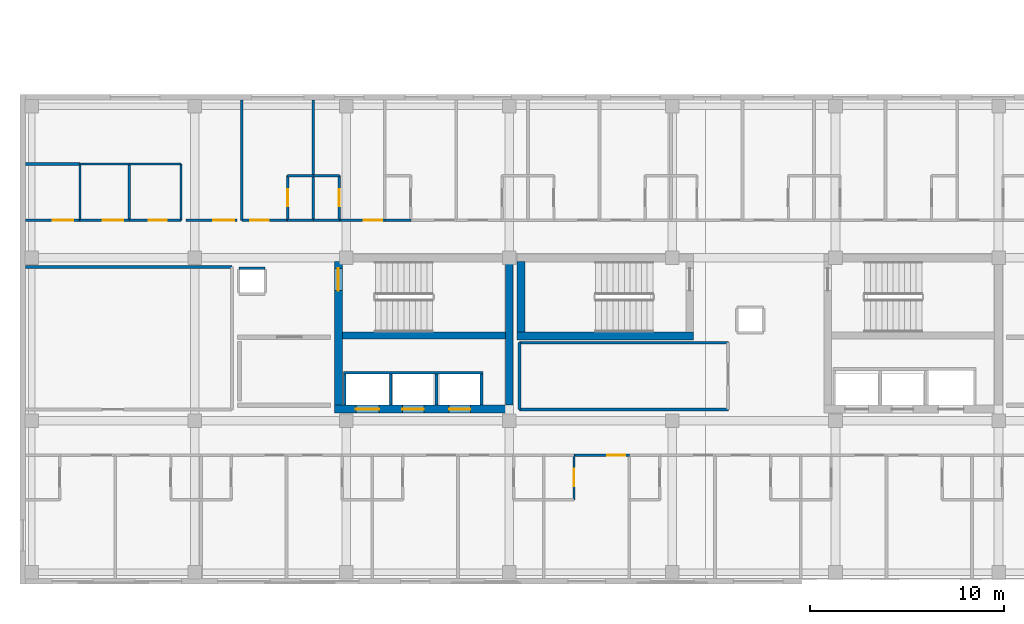
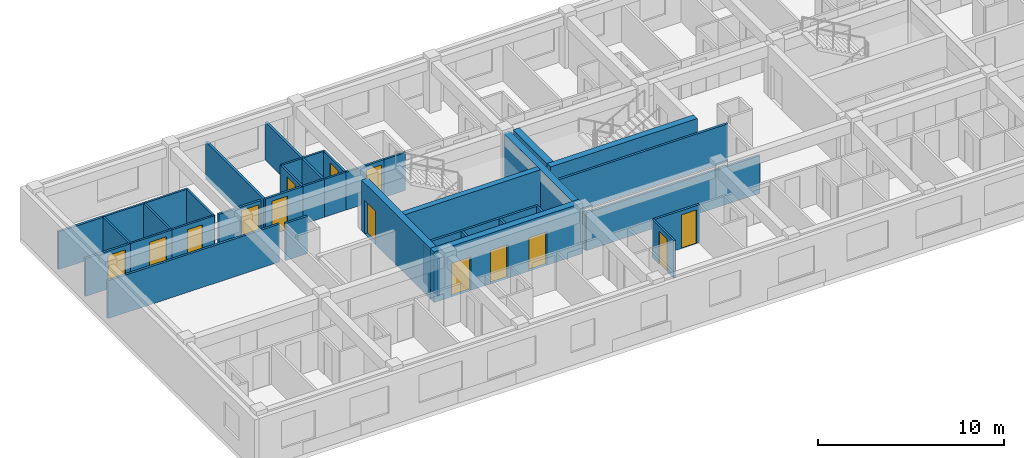
# One storey, part 4 of 13: 39 walls, 14 doors, 14 openings.
"""IFC4 building model written with IfcOpenShell, lengths in metres."""

from ifc_helpers import new_model, si_unit, direction, frame, frame_2d, origin, place, context, subcontext, project, spatial, rectangle, extrude, material, layer, layer_set, type_object, element, fill, save


model = new_model("IFC4")

# Units and contexts
model_context = context("Model", 3, precision=1e-05, world=origin(), true_north=direction((0.0, 1.0)))
body_context = subcontext(model_context, "Body", "Model", "MODEL_VIEW")
ifc_project = project(units=[si_unit("LENGTHUNIT", "METRE"), si_unit("AREAUNIT", "SQUARE_METRE"), si_unit("VOLUMEUNIT", "CUBIC_METRE"), si_unit("PLANEANGLEUNIT", "RADIAN"), si_unit("MASSUNIT", "GRAM", prefix="KILO")], contexts=[model_context])

# Site, building, storey
site_placement = place(None, origin())
site = spatial("IfcSite", under=ifc_project, at=site_placement, CompositionType="ELEMENT")
building_placement = place(site_placement, origin())
building = spatial("IfcBuilding", under=site, at=building_placement, Name="Zayran Congress Hotel", CompositionType="ELEMENT")
storey_placement = place(building_placement, frame((0.0, 0.0, 22.800048828125)))
storey = spatial("IfcBuildingStorey", under=building, at=storey_placement, Name="L05", CompositionType="ELEMENT", Elevation=22.800048828125)

# Wall, openings, doors
ifc_material_1 = material(Name="Concrete C40/50", Category="concrete")
ifc_layer_1 = layer(ifc_material_1, 0.39990234375)
ifc_layer_set_1 = layer_set([ifc_layer_1], Name="Concrete C40/50")
wall_type_1 = type_object("IfcWallType", Name="WL-SH-400", PredefinedType="SHEAR", material=ifc_layer_set_1)
wall_1_placement = place(storey_placement, frame((24.60009765625, 17.800048828125, 0.0), z_axis=(0.0, 0.0, 1.0), x_axis=(1.0, 0.0, 0.0)))
wall_1 = element("IfcWall", 1, at=wall_1_placement, inside=storey, type_object=wall_type_1, Name="CWALL-C-V5W-L05-S", PredefinedType="SHEAR", context=body_context, shape_type="SweptSolid", body=[
    extrude(rectangle(XDim=9.199951171875, YDim=0.39990234375, at=frame_2d((4.60009765625, 0.0))), origin(), (0.0, 0.0, 1.0), 3.320068359375),
])
opening_1_placement = place(wall_1_placement, frame((1.10009765625, 0.0, 0.0)))
opening_1 = element("IfcOpeningElement", 2, at=opening_1_placement, cuts=wall_1, Name="Opening LD-FL01", PredefinedType="OPENING", context=body_context, shape_type="SweptSolid", body=[
    extrude(rectangle(XDim=1.199951171875, YDim=2.199951171875, at=frame_2d((0.60009765625, 1.10009765625))), frame((0.0, 0.2099609375, 0.0), z_axis=(0.0, -1.0, 0.0), x_axis=(1.0, 0.0, 0.0)), (0.0, 0.0, 1.0), 0.419921875),
])
opening_2_placement = place(wall_1_placement, frame((3.5, 0.0, 0.0)))
opening_2 = element("IfcOpeningElement", 3, at=opening_2_placement, cuts=wall_1, Name="Opening LD-PL01", PredefinedType="OPENING", context=body_context, shape_type="SweptSolid", body=[
    extrude(rectangle(XDim=1.10009765625, YDim=2.199951171875, at=frame_2d((0.550048828125, 1.10009765625))), frame((0.0, 0.2099609375, 0.0), z_axis=(0.0, -1.0, 0.0), x_axis=(1.0, 0.0, 0.0)), (0.0, 0.0, 1.0), 0.419921875),
])
opening_3_placement = place(wall_1_placement, frame((5.89990234375, 0.0, 0.0)))
opening_3 = element("IfcOpeningElement", 4, at=opening_3_placement, cuts=wall_1, Name="Opening LD-PL02", PredefinedType="OPENING", context=body_context, shape_type="SweptSolid", body=[
    extrude(rectangle(XDim=1.10009765625, YDim=2.199951171875, at=frame_2d((0.550048828125, 1.10009765625))), frame((0.0, 0.2099609375, 0.0), z_axis=(0.0, -1.0, 0.0), x_axis=(1.0, 0.0, 0.0)), (0.0, 0.0, 1.0), 0.419921875),
])
ifc_material_2 = material(Name="Brushed stainless steel sliding lift landing door", Category="steel")
door_type_1 = type_object("IfcDoorType", Name="TP-DR-LD-01", OperationType="DOUBLE_DOOR_SLIDING", PredefinedType="DOOR", material=ifc_material_2)
door_1_placement = place(opening_2_placement, origin())
door_1 = element("IfcDoor", 5, at=door_1_placement, inside=storey, type_object=door_type_1, Name="Lift PL-01 Sliding Landing Door L05", OperationType="DOUBLE_DOOR_SLIDING", OverallHeight=2.199951171875, OverallWidth=1.10009765625, PredefinedType="DOOR", context=body_context, shape_type="SweptSolid", body=[
    extrude(rectangle(XDim=1.10009765625, YDim=2.199951171875, at=frame_2d((0.550048828125, 1.10009765625))), frame((0.0, 0.02490234375, 0.0), z_axis=(0.0, -1.0, 0.0), x_axis=(1.0, 0.0, 0.0)), (0.0, 0.0, 1.0), 0.050048828125),
])
fill(opening_2, door_1)
door_2_placement = place(opening_3_placement, origin())
door_2 = element("IfcDoor", 6, at=door_2_placement, inside=storey, type_object=door_type_1, Name="Lift PL-02 Sliding Landing Door L05", OperationType="DOUBLE_DOOR_SLIDING", OverallHeight=2.199951171875, OverallWidth=1.10009765625, PredefinedType="DOOR", context=body_context, shape_type="SweptSolid", body=[
    extrude(rectangle(XDim=1.10009765625, YDim=2.199951171875, at=frame_2d((0.550048828125, 1.10009765625))), frame((0.0, 0.02490234375, 0.0), z_axis=(0.0, -1.0, 0.0), x_axis=(1.0, 0.0, 0.0)), (0.0, 0.0, 1.0), 0.050048828125),
])
fill(opening_3, door_2)
ifc_material_3 = material(Name="Brushed stainless steel firefighting lift landing door", Category="steel")
door_type_2 = type_object("IfcDoorType", Name="TP-DR-LD-02", OperationType="DOUBLE_DOOR_SLIDING", PredefinedType="DOOR", material=ifc_material_3)
door_3_placement = place(opening_1_placement, origin())
door_3 = element("IfcDoor", 7, at=door_3_placement, inside=storey, type_object=door_type_2, Name="Lift FL-01 Sliding Landing Door L05", OperationType="DOUBLE_DOOR_SLIDING", OverallHeight=2.199951171875, OverallWidth=1.199951171875, PredefinedType="DOOR", context=body_context, shape_type="SweptSolid", body=[
    extrude(rectangle(XDim=1.199951171875, YDim=2.199951171875, at=frame_2d((0.60009765625, 1.10009765625))), frame((0.0, 0.02490234375, 0.0), z_axis=(0.0, -1.0, 0.0), x_axis=(1.0, 0.0, 0.0)), (0.0, 0.0, 1.0), 0.050048828125),
])
fill(opening_1, door_3)

# Wall, opening, door
wall_2_placement = place(storey_placement, frame((24.800048828125, 25.39990234375, 0.0), z_axis=(0.0, 0.0, 1.0), x_axis=(0.0, -1.0, 0.0)))
wall_2 = element("IfcWall", 8, at=wall_2_placement, inside=storey, type_object=wall_type_1, Name="CWALL-C-V5W-L05-W", PredefinedType="SHEAR", context=body_context, shape_type="SweptSolid", body=[
    extrude(rectangle(XDim=7.39990234375, YDim=0.39990234375, at=frame_2d((3.699951171875, 0.0))), origin(), (0.0, 0.0, 1.0), 3.320068359375),
])
opening_4_placement = place(wall_2_placement, frame((0.35009765625, 0.0, 0.0)))
opening_4 = element("IfcOpeningElement", 9, at=opening_4_placement, cuts=wall_2, Name="Opening DR-FD-90", PredefinedType="OPENING", context=body_context, shape_type="SweptSolid", body=[
    extrude(rectangle(XDim=1.14990234375, YDim=2.199951171875, at=frame_2d((0.574951171875, 1.10009765625))), frame((0.0, 0.2099609375, 0.0), z_axis=(0.0, -1.0, 0.0), x_axis=(1.0, 0.0, 0.0)), (0.0, 0.0, 1.0), 0.419921875),
])
ifc_material_4 = material(Name="Painted steel fire door assembly", Category="steel")
door_type_3 = type_object("IfcDoorType", Name="TP-DR-FD-90", OperationType="NOTDEFINED", PredefinedType="DOOR", material=ifc_material_4)
door_4_placement = place(opening_4_placement, origin())
door_4 = element("IfcDoor", 10, at=door_4_placement, inside=storey, type_object=door_type_3, Name="ST-01 Exit Stair Door L05", OperationType="SINGLE_SWING_LEFT", OverallHeight=2.199951171875, OverallWidth=1.14990234375, PredefinedType="DOOR", context=body_context, shape_type="SweptSolid", body=[
    extrude(rectangle(XDim=1.14990234375, YDim=2.199951171875, at=frame_2d((0.574951171875, 1.10009765625))), frame((0.0, 0.02490234375, 0.0), z_axis=(0.0, -1.0, 0.0), x_axis=(1.0, 0.0, 0.0)), (0.0, 0.0, 1.0), 0.050048828125),
])
fill(opening_4, door_4)

# Walls
wall_3_placement = place(storey_placement, frame((33.60009765625, 18.0, 0.0), z_axis=(0.0, 0.0, 1.0), x_axis=(0.0, 1.0, 0.0)))
element("IfcWall", 11, at=wall_3_placement, inside=storey, type_object=wall_type_1, Name="CWALL-C-V5W-L05-E", PredefinedType="SHEAR", context=body_context, shape_type="SweptSolid", body=[
    extrude(rectangle(XDim=7.39990234375, YDim=0.39990234375, at=frame_2d((3.699951171875, 0.0))), origin(), (0.0, 0.0, 1.0), 3.320068359375),
])
wall_4_placement = place(storey_placement, frame((34.0, 21.56005859375, 0.0), z_axis=(0.0, 0.0, 1.0), x_axis=(1.0, 0.0, 0.0)))
element("IfcWall", 12, at=wall_4_placement, inside=storey, type_object=wall_type_1, Name="CWALL-C-V5M-L05-S", PredefinedType="SHEAR", context=body_context, shape_type="SweptSolid", body=[
    extrude(rectangle(XDim=9.10009765625, YDim=0.39990234375, at=frame_2d((4.550048828125, 0.0))), origin(), (0.0, 0.0, 1.0), 3.320068359375),
])
wall_5_placement = place(storey_placement, frame((34.199951171875, 25.39990234375, 0.0), z_axis=(0.0, 0.0, 1.0), x_axis=(0.0, -1.0, 0.0)))
element("IfcWall", 13, at=wall_5_placement, inside=storey, type_object=wall_type_1, Name="CWALL-C-V5M-L05-W", PredefinedType="SHEAR", context=body_context, shape_type="SweptSolid", body=[
    extrude(rectangle(XDim=3.639892578125, YDim=0.39990234375, at=frame_2d((1.81982421875, 0.0))), origin(), (0.0, 0.0, 1.0), 3.320068359375),
])
ifc_layer_2 = layer(ifc_material_1, 0.35009765625)
ifc_layer_set_2 = layer_set([ifc_layer_2], Name="Concrete C40/50")
wall_type_2 = type_object("IfcWallType", Name="WL-SH-350", PredefinedType="SHEAR", material=ifc_layer_set_2)
wall_6_placement = place(storey_placement, frame((25.0, 21.5849609375, 0.0), z_axis=(0.0, 0.0, 1.0), x_axis=(1.0, 0.0, 0.0)))
element("IfcWall", 14, at=wall_6_placement, inside=storey, type_object=wall_type_2, Name="CWALL-C-V5W-L05-SPN", PredefinedType="SHEAR", context=body_context, shape_type="SweptSolid", body=[
    extrude(rectangle(XDim=8.39990234375, YDim=0.35009765625, at=frame_2d((4.199951171875, 0.0))), origin(), (0.0, 0.0, 1.0), 3.320068359375),
])
ifc_material_5 = material(Name="Hospitality guestroom acoustic partition", Category="gypsum")
ifc_layer_3 = layer(ifc_material_5, 0.139892578125)
ifc_layer_set_3 = layer_set([ifc_layer_3], Name="Hospitality guestroom acoustic partition")
wall_type_3 = type_object("IfcWallType", Name="WL-PT-140", PredefinedType="PARTITIONING", material=ifc_layer_set_3)
for number, where, z_axis, x_axis, name in (
    (15, (25.1298828125, 18.0, 0.0), (0.0, 0.0, 1.0), (0.0, 1.0, 0.0), "LSHW-C-V5W-L05-W"),
    (16, (27.5, 18.0, 0.0), (0.0, 0.0, 1.0), (0.0, 1.0, 0.0), "LSHW-C-V5W-L05-DIV1"),
    (17, (29.85009765625, 18.0, 0.0), (0.0, 0.0, 1.0), (0.0, 1.0, 0.0), "LSHW-C-V5W-L05-DIV2"),
    (18, (32.169921875, 18.0, 0.0), (0.0, 0.0, 1.0), (0.0, 1.0, 0.0), "LSHW-C-V5W-L05-E"),
):
    element("IfcWall", number, at=place(storey_placement, frame(where, z_axis=z_axis, x_axis=x_axis)), inside=storey, type_object=wall_type_3, Name=name, PredefinedType="PARTITIONING", context=body_context, shape_type="SweptSolid", body=[
        extrude(rectangle(XDim=1.60009765625, YDim=0.139892578125, at=frame_2d((0.800048828125, 0.0))), origin(), (0.0, 0.0, 1.0), 2.469970703125),
    ])
wall_7_placement = place(storey_placement, frame((25.06005859375, 19.669921875, 0.0), z_axis=(0.0, 0.0, 1.0), x_axis=(1.0, 0.0, 0.0)))
element("IfcWall", 19, at=wall_7_placement, inside=storey, type_object=wall_type_3, Name="LSHW-C-V5W-L05-N", PredefinedType="PARTITIONING", context=body_context, shape_type="SweptSolid", body=[
    extrude(rectangle(XDim=7.179931640625, YDim=0.139892578125, at=frame_2d((3.58984375, 0.0))), origin(), (0.0, 0.0, 1.0), 2.469970703125),
])

# Wall, opening, door
wall_8_placement = place(storey_placement, frame((36.93310546875, 15.419921875, 0.0), z_axis=(0.0, 0.0, 1.0), x_axis=(1.0, 0.0, 0.0)))
wall_8 = element("IfcWall", 20, at=wall_8_placement, inside=storey, type_object=wall_type_3, Name="IW-L05-0663", PredefinedType="PARTITIONING", context=body_context, shape_type="SweptSolid", body=[
    extrude(rectangle(XDim=2.849853515625, YDim=0.139892578125, at=frame_2d((1.4248046875, 0.0))), origin(), (0.0, 0.0, 1.0), 2.47998046875),
])
opening_5_placement = place(wall_8_placement, frame((1.7119140625, 0.0, 0.0)))
opening_5 = element("IfcOpeningElement", 21, at=opening_5_placement, cuts=wall_8, Name="Opening DR-GR-01", PredefinedType="OPENING", context=body_context, shape_type="SweptSolid", body=[
    extrude(rectangle(XDim=0.93994140625, YDim=2.199951171875, at=frame_2d((0.469970703125, 1.10009765625))), frame((0.0, 0.079833984375, 0.0), z_axis=(0.0, -1.0, 0.0), x_axis=(1.0, 0.0, 0.0)), (0.0, 0.0, 1.0), 0.159912109375),
])
ifc_material_6 = material(Name="Acoustic walnut veneer fire-rated entry door", Category="wood")
door_type_4 = type_object("IfcDoorType", Name="TP-DR-GR-01", OperationType="NOTDEFINED", PredefinedType="DOOR", material=ifc_material_6)
door_5_placement = place(opening_5_placement, origin())
door_5 = element("IfcDoor", 22, at=door_5_placement, inside=storey, type_object=door_type_4, Name="Guest Room L05-07 Door", OperationType="SINGLE_SWING_LEFT", OverallHeight=2.199951171875, OverallWidth=0.93994140625, PredefinedType="DOOR", context=body_context, shape_type="SweptSolid", body=[
    extrude(rectangle(XDim=0.93994140625, YDim=2.199951171875, at=frame_2d((0.469970703125, 1.10009765625))), frame((0.0, 0.02490234375, 0.0), z_axis=(0.0, -1.0, 0.0), x_axis=(1.0, 0.0, 0.0)), (0.0, 0.0, 1.0), 0.050048828125),
])
fill(opening_5, door_5)

wall_9_placement = place(storey_placement, frame((8.679931640625, 27.530029296875, 0.0), z_axis=(0.0, 0.0, 1.0), x_axis=(1.0, 0.0, 0.0)))
wall_9 = element("IfcWall", 23, at=wall_9_placement, inside=storey, type_object=wall_type_3, Name="IW-L05-0672", PredefinedType="PARTITIONING", context=body_context, shape_type="SweptSolid", body=[
    extrude(rectangle(XDim=2.800048828125, YDim=0.139892578125, at=frame_2d((1.39990234375, 0.0))), origin(), (0.0, 0.0, 1.0), 2.47998046875),
])
opening_6_placement = place(wall_9_placement, frame((1.409912109375, 0.0, 0.0)))
opening_6 = element("IfcOpeningElement", 24, at=opening_6_placement, cuts=wall_9, Name="Opening DR-PL-02", PredefinedType="OPENING", context=body_context, shape_type="SweptSolid", body=[
    extrude(rectangle(XDim=1.06005859375, YDim=2.199951171875, at=frame_2d((0.530029296875, 1.10009765625))), frame((0.0, 0.079833984375, 0.0), z_axis=(0.0, -1.0, 0.0), x_axis=(1.0, 0.0, 0.0)), (0.0, 0.0, 1.0), 0.159912109375),
])
ifc_material_7 = material(Name="Painted steel store room fire door", Category="steel")
door_type_5 = type_object("IfcDoorType", Name="TP-DR-PL-02", OperationType="NOTDEFINED", PredefinedType="DOOR", material=ifc_material_7)
door_6_placement = place(opening_6_placement, origin())
door_6 = element("IfcDoor", 25, at=door_6_placement, inside=storey, type_object=door_type_5, Name="Housekeeping and Linen Store L05 Door", OperationType="SINGLE_SWING_RIGHT", OverallHeight=2.199951171875, OverallWidth=1.06005859375, PredefinedType="DOOR", context=body_context, shape_type="SweptSolid", body=[
    extrude(rectangle(XDim=1.06005859375, YDim=2.199951171875, at=frame_2d((0.530029296875, 1.10009765625))), frame((0.0, 0.02490234375, 0.0), z_axis=(0.0, -1.0, 0.0), x_axis=(1.0, 0.0, 0.0)), (0.0, 0.0, 1.0), 0.050048828125),
])
fill(opening_6, door_6)

wall_10_placement = place(storey_placement, frame((16.9599609375, 27.530029296875, 0.0), z_axis=(0.0, 0.0, 1.0), x_axis=(1.0, 0.0, 0.0)))
wall_10 = element("IfcWall", 26, at=wall_10_placement, inside=storey, type_object=wall_type_3, Name="IW-L05-0673", PredefinedType="PARTITIONING", context=body_context, shape_type="SweptSolid", body=[
    extrude(rectangle(XDim=2.610107421875, YDim=0.139892578125, at=frame_2d((1.30517578125, 0.0))), origin(), (0.0, 0.0, 1.0), 2.47998046875),
])
opening_7_placement = place(wall_10_placement, frame((1.389892578125, 0.0, 0.0)))
opening_7 = element("IfcOpeningElement", 27, at=opening_7_placement, cuts=wall_10, Name="Opening DR-MT-01", PredefinedType="OPENING", context=body_context, shape_type="SweptSolid", body=[
    extrude(rectangle(XDim=1.080078125, YDim=2.25, at=frame_2d((0.5400390625, 1.125))), frame((0.0, 0.079833984375, 0.0), z_axis=(0.0, -1.0, 0.0), x_axis=(1.0, 0.0, 0.0)), (0.0, 0.0, 1.0), 0.159912109375),
])
ifc_material_8 = material(Name="Acoustic timber seminar room door", Category="wood")
door_type_6 = type_object("IfcDoorType", Name="TP-DR-MT-01", OperationType="NOTDEFINED", PredefinedType="DOOR", material=ifc_material_8)
door_7_placement = place(opening_7_placement, origin())
door_7 = element("IfcDoor", 28, at=door_7_placement, inside=storey, type_object=door_type_6, Name="Terrace Garden Lounge L05 Door", OperationType="SINGLE_SWING_LEFT", OverallHeight=2.25, OverallWidth=1.080078125, PredefinedType="DOOR", context=body_context, shape_type="SweptSolid", body=[
    extrude(rectangle(XDim=1.080078125, YDim=2.25, at=frame_2d((0.5400390625, 1.125))), frame((0.0, 0.02490234375, 0.0), z_axis=(0.0, -1.0, 0.0), x_axis=(1.0, 0.0, 0.0)), (0.0, 0.0, 1.0), 0.050048828125),
])
fill(opening_7, door_7)

wall_11_placement = place(storey_placement, frame((19.840087890625, 27.530029296875, 0.0), z_axis=(0.0, 0.0, 1.0), x_axis=(1.0, 0.0, 0.0)))
wall_11 = element("IfcWall", 29, at=wall_11_placement, inside=storey, type_object=wall_type_3, Name="IW-L05-0674", PredefinedType="PARTITIONING", context=body_context, shape_type="SweptSolid", body=[
    extrude(rectangle(XDim=2.344970703125, YDim=0.139892578125, at=frame_2d((1.17236328125, 0.0))), origin(), (0.0, 0.0, 1.0), 2.47998046875),
])
opening_8_placement = place(wall_11_placement, frame((0.4208984375, 0.0, 0.0)))
opening_8 = element("IfcOpeningElement", 30, at=opening_8_placement, cuts=wall_11, Name="Opening DR-GR-01", PredefinedType="OPENING", context=body_context, shape_type="SweptSolid", body=[
    extrude(rectangle(XDim=0.93994140625, YDim=2.199951171875, at=frame_2d((0.469970703125, 1.10009765625))), frame((0.0, 0.079833984375, 0.0), z_axis=(0.0, -1.0, 0.0), x_axis=(1.0, 0.0, 0.0)), (0.0, 0.0, 1.0), 0.159912109375),
])
door_8_placement = place(opening_8_placement, origin())
door_8 = element("IfcDoor", 31, at=door_8_placement, inside=storey, type_object=door_type_4, Name="Guest Room L05-16 Door", OperationType="SINGLE_SWING_RIGHT", OverallHeight=2.199951171875, OverallWidth=0.93994140625, PredefinedType="DOOR", context=body_context, shape_type="SweptSolid", body=[
    extrude(rectangle(XDim=0.93994140625, YDim=2.199951171875, at=frame_2d((0.469970703125, 1.10009765625))), frame((0.0, 0.02490234375, 0.0), z_axis=(0.0, -1.0, 0.0), x_axis=(1.0, 0.0, 0.0)), (0.0, 0.0, 1.0), 0.050048828125),
])
fill(opening_8, door_8)

wall_12_placement = place(storey_placement, frame((24.844970703125, 27.530029296875, 0.0), z_axis=(0.0, 0.0, 1.0), x_axis=(1.0, 0.0, 0.0)))
wall_12 = element("IfcWall", 32, at=wall_12_placement, inside=storey, type_object=wall_type_3, Name="IW-L05-0675", PredefinedType="PARTITIONING", context=body_context, shape_type="SweptSolid", body=[
    extrude(rectangle(XDim=2.343994140625, YDim=0.139892578125, at=frame_2d((1.171875, 0.0))), origin(), (0.0, 0.0, 1.0), 2.47998046875),
])
opening_9_placement = place(wall_12_placement, frame((1.263916015625, 0.0, 0.0)))
opening_9 = element("IfcOpeningElement", 33, at=opening_9_placement, cuts=wall_12, Name="Opening DR-GR-01", PredefinedType="OPENING", context=body_context, shape_type="SweptSolid", body=[
    extrude(rectangle(XDim=0.93994140625, YDim=2.199951171875, at=frame_2d((0.469970703125, 1.10009765625))), frame((0.0, 0.079833984375, 0.0), z_axis=(0.0, -1.0, 0.0), x_axis=(1.0, 0.0, 0.0)), (0.0, 0.0, 1.0), 0.159912109375),
])
door_9_placement = place(opening_9_placement, origin())
door_9 = element("IfcDoor", 34, at=door_9_placement, inside=storey, type_object=door_type_4, Name="Guest Room L05-17 Door", OperationType="SINGLE_SWING_LEFT", OverallHeight=2.199951171875, OverallWidth=0.93994140625, PredefinedType="DOOR", context=body_context, shape_type="SweptSolid", body=[
    extrude(rectangle(XDim=0.93994140625, YDim=2.199951171875, at=frame_2d((0.469970703125, 1.10009765625))), frame((0.0, 0.02490234375, 0.0), z_axis=(0.0, -1.0, 0.0), x_axis=(1.0, 0.0, 0.0)), (0.0, 0.0, 1.0), 0.050048828125),
])
fill(opening_9, door_9)

# Walls
for number, where, z_axis, x_axis, name in (
    (35, (34.1201171875, 17.780029296875, 0.0), (0.0, 0.0, 1.0), (1.0, 0.0, 0.0), "IW-L05-1978"),
    (36, (34.1201171875, 21.219970703125, 0.0), (0.0, 0.0, 1.0), (1.0, 0.0, 0.0), "IW-L05-1979"),
):
    element("IfcWall", number, at=place(storey_placement, frame(where, z_axis=z_axis, x_axis=x_axis)), inside=storey, type_object=wall_type_3, Name=name, PredefinedType="PARTITIONING", context=body_context, shape_type="SweptSolid", body=[
        extrude(rectangle(XDim=10.759765625, YDim=0.139892578125, at=frame_2d((5.3798828125, 0.0))), origin(), (0.0, 0.0, 1.0), 2.47998046875),
    ])
wall_13_placement = place(storey_placement, frame((34.1298828125, 17.77001953125, 0.0), z_axis=(0.0, 0.0, 1.0), x_axis=(0.0, 1.0, 0.0)))
element("IfcWall", 37, at=wall_13_placement, inside=storey, type_object=wall_type_3, Name="IW-L05-1980", PredefinedType="PARTITIONING", context=body_context, shape_type="SweptSolid", body=[
    extrude(rectangle(XDim=3.4599609375, YDim=0.139892578125, at=frame_2d((1.72998046875, 0.0))), origin(), (0.0, 0.0, 1.0), 2.47998046875),
])
wall_14_placement = place(storey_placement, frame((8.679931640625, 25.1201171875, 0.0), z_axis=(0.0, 0.0, 1.0), x_axis=(1.0, 0.0, 0.0)))
element("IfcWall", 38, at=wall_14_placement, inside=storey, type_object=wall_type_3, Name="IW-L05-1981", PredefinedType="PARTITIONING", context=body_context, shape_type="SweptSolid", body=[
    extrude(rectangle(XDim=10.650146484375, YDim=0.139892578125, at=frame_2d((5.3251953125, 0.0))), origin(), (0.0, 0.0, 1.0), 2.47998046875),
])
wall_15_placement = place(storey_placement, frame((8.679931640625, 30.419921875, 0.0), z_axis=(0.0, 0.0, 1.0), x_axis=(1.0, 0.0, 0.0)))
element("IfcWall", 39, at=wall_15_placement, inside=storey, type_object=wall_type_3, Name="IW-L05-2000", PredefinedType="PARTITIONING", context=body_context, shape_type="SweptSolid", body=[
    extrude(rectangle(XDim=2.800048828125, YDim=0.139892578125, at=frame_2d((1.39990234375, 0.0))), origin(), (0.0, 0.0, 1.0), 2.47998046875),
])
for number, where, z_axis, x_axis, name in (
    (40, (19.820068359375, 27.52001953125, 0.0), (0.0, 0.0, 1.0), (0.0, 1.0, 0.0), "IW-L05-2001"),
    (41, (23.5048828125, 27.52001953125, 0.0), (0.0, 0.0, 1.0), (0.0, 1.0, 0.0), "IW-L05-2002"),
):
    element("IfcWall", number, at=place(storey_placement, frame(where, z_axis=z_axis, x_axis=x_axis)), inside=storey, type_object=wall_type_3, Name=name, PredefinedType="PARTITIONING", context=body_context, shape_type="SweptSolid", body=[
        extrude(rectangle(XDim=6.199951171875, YDim=0.139892578125, at=frame_2d((3.10009765625, 0.0))), origin(), (0.0, 0.0, 1.0), 2.47998046875),
    ])
wall_16_placement = place(storey_placement, frame((21.030029296875, 25.050048828125, 0.0), z_axis=(0.0, 0.0, 1.0), x_axis=(-1.0, 0.0, 0.0)))
element("IfcWall", 42, at=wall_16_placement, inside=storey, type_object=wall_type_3, Name="RSWL-V5-L05-038-N", PredefinedType="PARTITIONING", context=body_context, shape_type="SweptSolid", body=[
    extrude(rectangle(XDim=1.360107421875, YDim=0.139892578125, at=frame_2d((0.68017578125, 0.0))), origin(), (0.0, 0.0, 1.0), 2.43994140625),
])

# Wall, opening, door
ifc_material_9 = material(Name="Moisture-resistant bathroom partition", Category="gypsum")
ifc_layer_4 = layer(ifc_material_9, 0.1201171875)
ifc_layer_set_4 = layer_set([ifc_layer_4], Name="Moisture-resistant bathroom partition")
wall_type_4 = type_object("IfcWallType", Name="WL-PT-120", PredefinedType="PARTITIONING", material=ifc_layer_set_4)
wall_17_placement = place(storey_placement, frame((36.93310546875, 13.1201171875, 0.0), z_axis=(0.0, 0.0, 1.0), x_axis=(0.0, 1.0, 0.0)))
wall_17 = element("IfcWall", 43, at=wall_17_placement, inside=storey, type_object=wall_type_4, Name="IW-L05-0167", PredefinedType="PARTITIONING", context=body_context, shape_type="SweptSolid", body=[
    extrude(rectangle(XDim=2.309814453125, YDim=0.1201171875, at=frame_2d((1.15478515625, 0.0))), origin(), (0.0, 0.0, 1.0), 2.47998046875),
])
opening_10_placement = place(wall_17_placement, frame((0.715087890625, 0.0, 0.0)))
opening_10 = element("IfcOpeningElement", 44, at=opening_10_placement, cuts=wall_17, Name="Opening DR-BT-01", PredefinedType="OPENING", context=body_context, shape_type="SweptSolid", body=[
    extrude(rectangle(XDim=0.8798828125, YDim=2.14990234375, at=frame_2d((0.43994140625, 1.074951171875))), frame((0.0, 0.070068359375, 0.0), z_axis=(0.0, -1.0, 0.0), x_axis=(1.0, 0.0, 0.0)), (0.0, 0.0, 1.0), 0.14013671875),
])
ifc_material_10 = material(Name="Moisture-resistant oak en-suite door", Category="wood")
door_type_7 = type_object("IfcDoorType", Name="TP-DR-BT-01", OperationType="NOTDEFINED", PredefinedType="DOOR", material=ifc_material_10)
door_10_placement = place(opening_10_placement, origin())
door_10 = element("IfcDoor", 45, at=door_10_placement, inside=storey, type_object=door_type_7, Name="En-Suite Bathroom L05-07 Door", OperationType="SINGLE_SWING_RIGHT", OverallHeight=2.14990234375, OverallWidth=0.8798828125, PredefinedType="DOOR", context=body_context, shape_type="SweptSolid", body=[
    extrude(rectangle(XDim=0.8798828125, YDim=2.14990234375, at=frame_2d((0.43994140625, 1.074951171875))), frame((0.0, 0.02490234375, 0.0), z_axis=(0.0, -1.0, 0.0), x_axis=(1.0, 0.0, 0.0)), (0.0, 0.0, 1.0), 0.050048828125),
])
fill(opening_10, door_10)

wall_18_placement = place(storey_placement, frame((22.18505859375, 27.52001953125, 0.0), z_axis=(0.0, 0.0, 1.0), x_axis=(0.0, 1.0, 0.0)))
wall_18 = element("IfcWall", 46, at=wall_18_placement, inside=storey, type_object=wall_type_4, Name="IW-L05-0176", PredefinedType="PARTITIONING", context=body_context, shape_type="SweptSolid", body=[
    extrude(rectangle(XDim=2.31005859375, YDim=0.1201171875, at=frame_2d((1.155029296875, 0.0))), origin(), (0.0, 0.0, 1.0), 2.47998046875),
])
opening_11_placement = place(wall_18_placement, frame((0.715087890625, 0.0, 0.0)))
opening_11 = element("IfcOpeningElement", 47, at=opening_11_placement, cuts=wall_18, Name="Opening DR-BT-01", PredefinedType="OPENING", context=body_context, shape_type="SweptSolid", body=[
    extrude(rectangle(XDim=0.8798828125, YDim=2.14990234375, at=frame_2d((0.43994140625, 1.074951171875))), frame((0.0, 0.070068359375, 0.0), z_axis=(0.0, -1.0, 0.0), x_axis=(1.0, 0.0, 0.0)), (0.0, 0.0, 1.0), 0.14013671875),
])
door_11_placement = place(opening_11_placement, origin())
door_11 = element("IfcDoor", 48, at=door_11_placement, inside=storey, type_object=door_type_7, Name="En-Suite Bathroom L05-16 Door", OperationType="SINGLE_SWING_LEFT", OverallHeight=2.14990234375, OverallWidth=0.8798828125, PredefinedType="DOOR", context=body_context, shape_type="SweptSolid", body=[
    extrude(rectangle(XDim=0.8798828125, YDim=2.14990234375, at=frame_2d((0.43994140625, 1.074951171875))), frame((0.0, 0.02490234375, 0.0), z_axis=(0.0, -1.0, 0.0), x_axis=(1.0, 0.0, 0.0)), (0.0, 0.0, 1.0), 0.050048828125),
])
fill(opening_11, door_11)

wall_19_placement = place(storey_placement, frame((24.844970703125, 27.52001953125, 0.0), z_axis=(0.0, 0.0, 1.0), x_axis=(0.0, 1.0, 0.0)))
wall_19 = element("IfcWall", 49, at=wall_19_placement, inside=storey, type_object=wall_type_4, Name="IW-L05-0177", PredefinedType="PARTITIONING", context=body_context, shape_type="SweptSolid", body=[
    extrude(rectangle(XDim=2.31005859375, YDim=0.1201171875, at=frame_2d((1.155029296875, 0.0))), origin(), (0.0, 0.0, 1.0), 2.47998046875),
])
opening_12_placement = place(wall_19_placement, frame((0.715087890625, 0.0, 0.0)))
opening_12 = element("IfcOpeningElement", 50, at=opening_12_placement, cuts=wall_19, Name="Opening DR-BT-01", PredefinedType="OPENING", context=body_context, shape_type="SweptSolid", body=[
    extrude(rectangle(XDim=0.8798828125, YDim=2.14990234375, at=frame_2d((0.43994140625, 1.074951171875))), frame((0.0, 0.070068359375, 0.0), z_axis=(0.0, -1.0, 0.0), x_axis=(1.0, 0.0, 0.0)), (0.0, 0.0, 1.0), 0.14013671875),
])
door_12_placement = place(opening_12_placement, origin())
door_12 = element("IfcDoor", 51, at=door_12_placement, inside=storey, type_object=door_type_7, Name="En-Suite Bathroom L05-17 Door", OperationType="SINGLE_SWING_RIGHT", OverallHeight=2.14990234375, OverallWidth=0.8798828125, PredefinedType="DOOR", context=body_context, shape_type="SweptSolid", body=[
    extrude(rectangle(XDim=0.8798828125, YDim=2.14990234375, at=frame_2d((0.43994140625, 1.074951171875))), frame((0.0, 0.02490234375, 0.0), z_axis=(0.0, -1.0, 0.0), x_axis=(1.0, 0.0, 0.0)), (0.0, 0.0, 1.0), 0.050048828125),
])
fill(opening_12, door_12)

wall_20_placement = place(storey_placement, frame((11.47998046875, 27.530029296875, 0.0), z_axis=(0.0, 0.0, 1.0), x_axis=(1.0, 0.0, 0.0)))
wall_20 = element("IfcWall", 52, at=wall_20_placement, inside=storey, type_object=wall_type_4, Name="IW-L05-0365", PredefinedType="PARTITIONING", context=body_context, shape_type="SweptSolid", body=[
    extrude(rectangle(XDim=2.56005859375, YDim=0.1201171875, at=frame_2d((1.280029296875, 0.0))), origin(), (0.0, 0.0, 1.0), 2.47998046875),
])
opening_13_placement = place(wall_20_placement, frame((1.18994140625, 0.0, 0.0)))
opening_13 = element("IfcOpeningElement", 53, at=opening_13_placement, cuts=wall_20, Name="Opening DR-WC-02", PredefinedType="OPENING", context=body_context, shape_type="SweptSolid", body=[
    extrude(rectangle(XDim=1.0400390625, YDim=2.14990234375, at=frame_2d((0.52001953125, 1.074951171875))), frame((0.0, 0.070068359375, 0.0), z_axis=(0.0, -1.0, 0.0), x_axis=(1.0, 0.0, 0.0)), (0.0, 0.0, 1.0), 0.14013671875),
])
ifc_material_11 = material(Name="Accessible public washroom door", Category="steel")
door_type_8 = type_object("IfcDoorType", Name="TP-DR-WC-02", OperationType="NOTDEFINED", PredefinedType="DOOR", material=ifc_material_11)
door_13_placement = place(opening_13_placement, origin())
door_13 = element("IfcDoor", 54, at=door_13_placement, inside=storey, type_object=door_type_8, Name="Accessible WC L05 Door", OperationType="SINGLE_SWING_RIGHT", OverallHeight=2.14990234375, OverallWidth=1.0400390625, PredefinedType="DOOR", context=body_context, shape_type="SweptSolid", body=[
    extrude(rectangle(XDim=1.0400390625, YDim=2.14990234375, at=frame_2d((0.52001953125, 1.074951171875))), frame((0.0, 0.02490234375, 0.0), z_axis=(0.0, -1.0, 0.0), x_axis=(1.0, 0.0, 0.0)), (0.0, 0.0, 1.0), 0.050048828125),
])
fill(opening_13, door_13)

wall_21_placement = place(storey_placement, frame((14.0400390625, 27.530029296875, 0.0), z_axis=(0.0, 0.0, 1.0), x_axis=(1.0, 0.0, 0.0)))
wall_21 = element("IfcWall", 55, at=wall_21_placement, inside=storey, type_object=wall_type_4, Name="IW-L05-0366", PredefinedType="PARTITIONING", context=body_context, shape_type="SweptSolid", body=[
    extrude(rectangle(XDim=2.659912109375, YDim=0.1201171875, at=frame_2d((1.330078125, 0.0))), origin(), (0.0, 0.0, 1.0), 2.47998046875),
])
opening_14_placement = place(wall_21_placement, frame((0.986083984375, 0.0, 0.0)))
opening_14 = element("IfcOpeningElement", 56, at=opening_14_placement, cuts=wall_21, Name="Opening DR-WC-01", PredefinedType="OPENING", context=body_context, shape_type="SweptSolid", body=[
    extrude(rectangle(XDim=0.919921875, YDim=2.14990234375, at=frame_2d((0.4599609375, 1.074951171875))), frame((0.0, 0.070068359375, 0.0), z_axis=(0.0, -1.0, 0.0), x_axis=(1.0, 0.0, 0.0)), (0.0, 0.0, 1.0), 0.14013671875),
])
ifc_material_12 = material(Name="Laminated timber public washroom door", Category="wood")
door_type_9 = type_object("IfcDoorType", Name="TP-DR-WC-01", OperationType="NOTDEFINED", PredefinedType="DOOR", material=ifc_material_12)
door_14_placement = place(opening_14_placement, origin())
door_14 = element("IfcDoor", 57, at=door_14_placement, inside=storey, type_object=door_type_9, Name="Public WC L05 Door", OperationType="SINGLE_SWING_LEFT", OverallHeight=2.14990234375, OverallWidth=0.919921875, PredefinedType="DOOR", context=body_context, shape_type="SweptSolid", body=[
    extrude(rectangle(XDim=0.919921875, YDim=2.14990234375, at=frame_2d((0.4599609375, 1.074951171875))), frame((0.0, 0.02490234375, 0.0), z_axis=(0.0, -1.0, 0.0), x_axis=(1.0, 0.0, 0.0)), (0.0, 0.0, 1.0), 0.050048828125),
])
fill(opening_14, door_14)

# Walls
for number, where, z_axis, x_axis, name in (
    (58, (22.175048828125, 27.530029296875, 0.0), (0.0, 0.0, 1.0), (1.0, 0.0, 0.0), "IW-L05-1219"),
    (59, (22.175048828125, 29.820068359375, 0.0), (0.0, 0.0, 1.0), (1.0, 0.0, 0.0), "IW-L05-1220"),
):
    element("IfcWall", number, at=place(storey_placement, frame(where, z_axis=z_axis, x_axis=x_axis)), inside=storey, type_object=wall_type_4, Name=name, PredefinedType="PARTITIONING", context=body_context, shape_type="SweptSolid", body=[
        extrude(rectangle(XDim=1.33984375, YDim=0.1201171875, at=frame_2d((0.669921875, 0.0))), origin(), (0.0, 0.0, 1.0), 2.47998046875),
    ])
for number, where, z_axis, x_axis, name in (
    (60, (23.514892578125, 27.530029296875, 0.0), (0.0, 0.0, 1.0), (1.0, 0.0, 0.0), "IW-L05-1221"),
    (61, (23.514892578125, 29.820068359375, 0.0), (0.0, 0.0, 1.0), (1.0, 0.0, 0.0), "IW-L05-1222"),
    (62, (27.198974609375, 27.530029296875, 0.0), (0.0, 0.0, 1.0), (1.0, 0.0, 0.0), "IW-L05-1223"),
):
    element("IfcWall", number, at=place(storey_placement, frame(where, z_axis=z_axis, x_axis=x_axis)), inside=storey, type_object=wall_type_4, Name=name, PredefinedType="PARTITIONING", context=body_context, shape_type="SweptSolid", body=[
        extrude(rectangle(XDim=1.340087890625, YDim=0.1201171875, at=frame_2d((0.669921875, 0.0))), origin(), (0.0, 0.0, 1.0), 2.47998046875),
    ])
wall_22_placement = place(storey_placement, frame((11.47998046875, 30.419921875, 0.0), z_axis=(0.0, 0.0, 1.0), x_axis=(1.0, 0.0, 0.0)))
element("IfcWall", 63, at=wall_22_placement, inside=storey, type_object=wall_type_4, Name="IW-L05-1597", PredefinedType="PARTITIONING", context=body_context, shape_type="SweptSolid", body=[
    extrude(rectangle(XDim=2.56005859375, YDim=0.1201171875, at=frame_2d((1.280029296875, 0.0))), origin(), (0.0, 0.0, 1.0), 2.47998046875),
])
for number, where, z_axis, x_axis, name in (
    (64, (11.489990234375, 27.52001953125, 0.0), (0.0, 0.0, 1.0), (0.0, 1.0, 0.0), "IW-L05-1598"),
    (65, (14.030029296875, 27.52001953125, 0.0), (0.0, 0.0, 1.0), (0.0, 1.0, 0.0), "IW-L05-1599"),
):
    element("IfcWall", number, at=place(storey_placement, frame(where, z_axis=z_axis, x_axis=x_axis)), inside=storey, type_object=wall_type_4, Name=name, PredefinedType="PARTITIONING", context=body_context, shape_type="SweptSolid", body=[
        extrude(rectangle(XDim=2.909912109375, YDim=0.1201171875, at=frame_2d((1.455078125, 0.0))), origin(), (0.0, 0.0, 1.0), 2.47998046875),
    ])
wall_23_placement = place(storey_placement, frame((14.0400390625, 30.419921875, 0.0), z_axis=(0.0, 0.0, 1.0), x_axis=(1.0, 0.0, 0.0)))
element("IfcWall", 66, at=wall_23_placement, inside=storey, type_object=wall_type_4, Name="IW-L05-1600", PredefinedType="PARTITIONING", context=body_context, shape_type="SweptSolid", body=[
    extrude(rectangle(XDim=2.659912109375, YDim=0.1201171875, at=frame_2d((1.330078125, 0.0))), origin(), (0.0, 0.0, 1.0), 2.47998046875),
])
wall_24_placement = place(storey_placement, frame((16.68994140625, 27.52001953125, 0.0), z_axis=(0.0, 0.0, 1.0), x_axis=(0.0, 1.0, 0.0)))
element("IfcWall", 67, at=wall_24_placement, inside=storey, type_object=wall_type_4, Name="IW-L05-1601", PredefinedType="PARTITIONING", context=body_context, shape_type="SweptSolid", body=[
    extrude(rectangle(XDim=2.909912109375, YDim=0.1201171875, at=frame_2d((1.455078125, 0.0))), origin(), (0.0, 0.0, 1.0), 2.47998046875),
])

save(model, "model.ifc")
